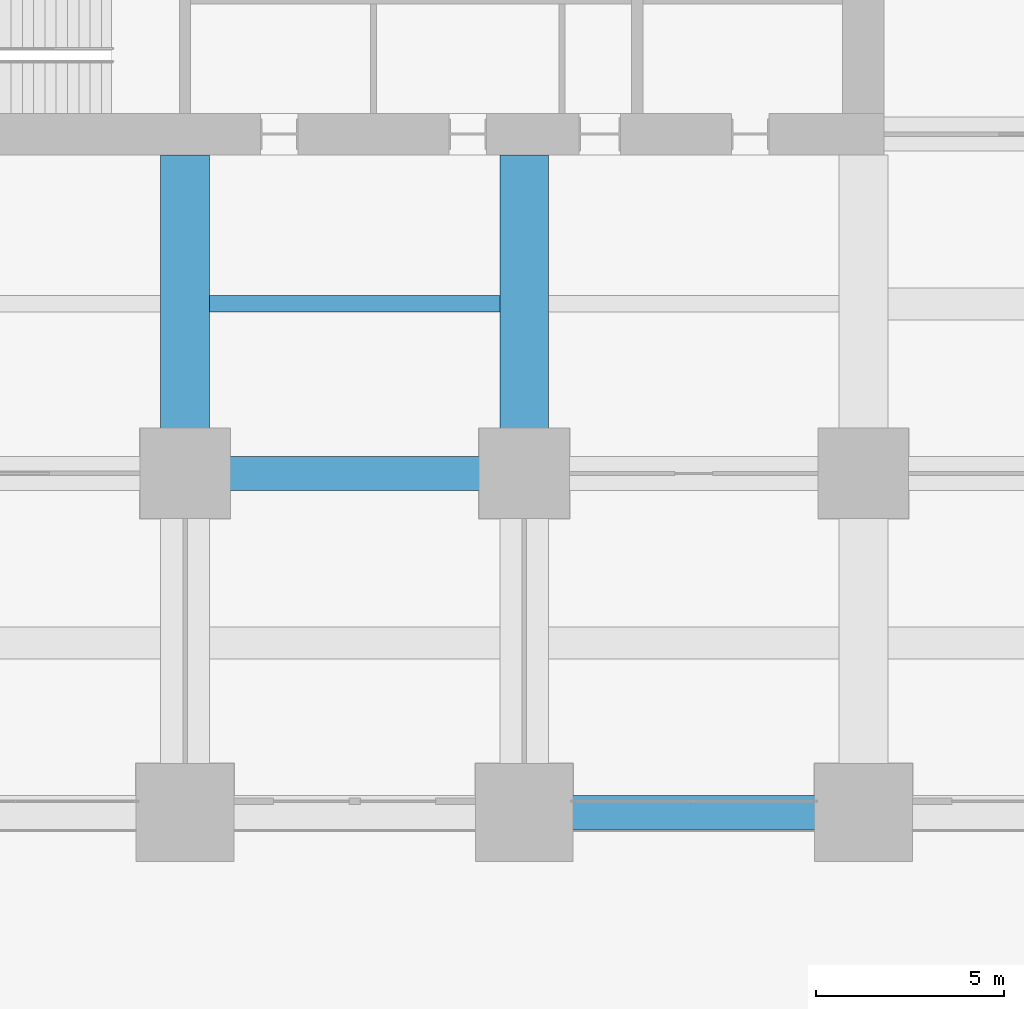
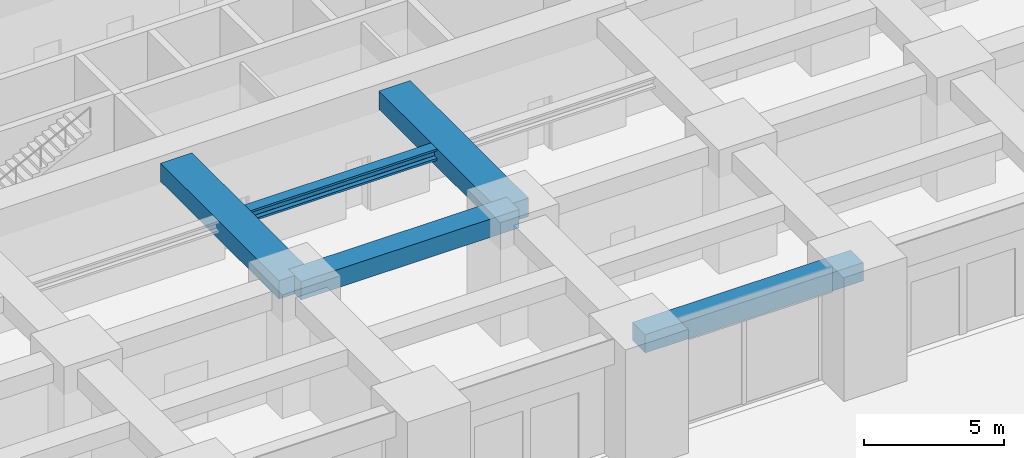
# One storey, part 14 of 56: 5 beams.
"""IFC4 building model written with IfcOpenShell, lengths in metres."""

from ifc_helpers import new_model, si_unit, direction, frame, origin, origin_2d, place, context, subcontext, project, spatial, rectangle, i_section, extrude, material, material_profile, profile_set, type_object, element, save


model = new_model("IFC4")

# Units and contexts
model_context = context("Model", 3, precision=1e-05, world=origin(), true_north=direction((0.0, 1.0)))
body_context = subcontext(model_context, "Body", "Model", "MODEL_VIEW")
ifc_project = project(units=[si_unit("LENGTHUNIT", "METRE"), si_unit("AREAUNIT", "SQUARE_METRE"), si_unit("VOLUMEUNIT", "CUBIC_METRE"), si_unit("PLANEANGLEUNIT", "RADIAN"), si_unit("MASSUNIT", "GRAM", prefix="KILO")], contexts=[model_context])

# Site, building, storey
site_placement = place(None, origin())
site = spatial("IfcSite", under=ifc_project, at=site_placement, CompositionType="ELEMENT")
building_placement = place(site_placement, origin())
building = spatial("IfcBuilding", under=site, at=building_placement, Name="Zorevar Civic Tower", CompositionType="ELEMENT")
storey_placement = place(building_placement, origin())
storey = spatial("IfcBuildingStorey", under=building, at=storey_placement, Name="L00", CompositionType="ELEMENT", Elevation=0.0)

# Beams
ifc_material_1 = material(Name="Concrete C50/60", Category="concrete")
ifc_material_profile_1 = material_profile(ifc_material_1, rectangle(XDim=1.300048828125, YDim=0.800048828125, at=origin_2d()), Name="RC 1300x800")
ifc_profile_set_1 = profile_set([ifc_material_profile_1], Name="Concrete C50/60")
beam_type_1 = type_object("IfcBeamType", Name="Beam RC 1300x800", PredefinedType="BEAM", material=ifc_profile_set_1)
for number, where, z_axis, x_axis, name in (
    (1, (27.0, 9.0, 4.699951171875), (0.0, 1.0, 0.0), (-1.0, 0.0, 0.0), "Girder L01"),
    (2, (36.0, 9.0, 4.699951171875), (0.0, 1.0, 0.0), (-1.0, 0.0, 0.0), "Girder L01"),
):
    element("IfcBeam", number, at=place(storey_placement, frame(where, z_axis=z_axis, x_axis=x_axis)), inside=storey, type_object=beam_type_1, Name=name, PredefinedType="BEAM", context=body_context, shape_type="SweptSolid", body=[
        extrude(rectangle(XDim=1.300048828125, YDim=0.800048828125, at=origin_2d()), origin(), (0.0, 0.0, 1.0), 8.449951171875),
    ])
ifc_material_2 = material(Name="Concrete C50/60", Category="concrete")
ifc_material_profile_2 = material_profile(ifc_material_2, rectangle(XDim=0.89990234375, YDim=0.800048828125, at=origin_2d()), Name="RC 900x800")
ifc_profile_set_2 = profile_set([ifc_material_profile_2], Name="Concrete C50/60")
beam_type_2 = type_object("IfcBeamType", Name="Beam RC 900x800", PredefinedType="BEAM", material=ifc_profile_set_2)
beam_1_placement = place(storey_placement, frame((27.0, 9.0, 4.699951171875), z_axis=(1.0, 0.0, 0.0), x_axis=(0.0, 1.0, 0.0)))
element("IfcBeam", 3, at=beam_1_placement, inside=storey, type_object=beam_type_2, Name="Girder L01", PredefinedType="BEAM", context=body_context, shape_type="SweptSolid", body=[
    extrude(rectangle(XDim=0.89990234375, YDim=0.800048828125, at=origin_2d()), origin(), (0.0, 0.0, 1.0), 9.0),
])
ifc_material_3 = material(Name="Steel S460M (HISTAR 460)", Category="steel")
ifc_material_profile_3 = material_profile(ifc_material_3, i_section(OverallWidth=0.431884765625, OverallDepth=0.498046875, WebThickness=0.0556640625, FlangeThickness=0.0888671875, FilletRadius=0.014892578125, at=origin_2d()), Name="HD 400x744")
ifc_profile_set_3 = profile_set([ifc_material_profile_3], Name="Steel S460M (HISTAR 460)")
beam_type_3 = type_object("IfcBeamType", Name="Core bay beam HD 400x744", PredefinedType="BEAM", material=ifc_profile_set_3)
beam_2_placement = place(storey_placement, frame((27.64990234375, 13.5, 4.85107421875), z_axis=(1.0, 0.0, 0.0), x_axis=(0.0, 1.0, 0.0)))
element("IfcBeam", 4, at=beam_2_placement, inside=storey, type_object=beam_type_3, Name="Secondary beam L01", PredefinedType="BEAM", context=body_context, shape_type="SweptSolid", body=[
    extrude(i_section(OverallWidth=0.431884765625, OverallDepth=0.498046875, WebThickness=0.0556640625, FlangeThickness=0.0888671875, FilletRadius=0.014892578125, at=origin_2d()), origin(), (0.0, 0.0, 1.0), 7.7001953125),
])
ifc_material_4 = material(Name="Concrete C50/60", Category="concrete")
ifc_material_profile_4 = material_profile(ifc_material_4, rectangle(XDim=0.89990234375, YDim=0.800048828125, at=origin_2d()), Name="RC 900x800")
ifc_profile_set_4 = profile_set([ifc_material_profile_4], Name="Concrete C50/60")
beam_type_4 = type_object("IfcBeamType", Name="Edge beam RC 900x800", PredefinedType="SPANDREL", material=ifc_profile_set_4)
beam_3_placement = place(storey_placement, frame((36.0, 0.0, 4.699951171875), z_axis=(1.0, 0.0, 0.0), x_axis=(0.0, 1.0, 0.0)))
element("IfcBeam", 5, at=beam_3_placement, inside=storey, type_object=beam_type_4, Name="Edge beam L01", PredefinedType="SPANDREL", context=body_context, shape_type="SweptSolid", body=[
    extrude(rectangle(XDim=0.89990234375, YDim=0.800048828125, at=origin_2d()), origin(), (0.0, 0.0, 1.0), 9.0),
])

save(model, "model.ifc")
